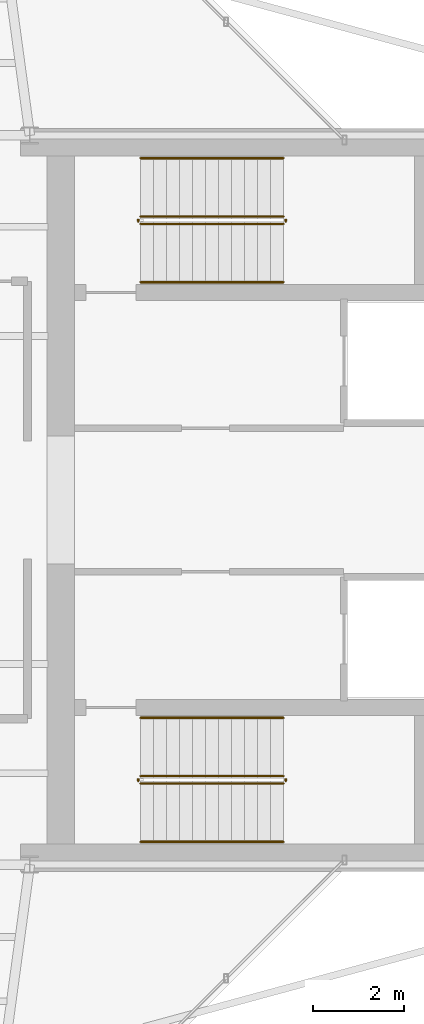
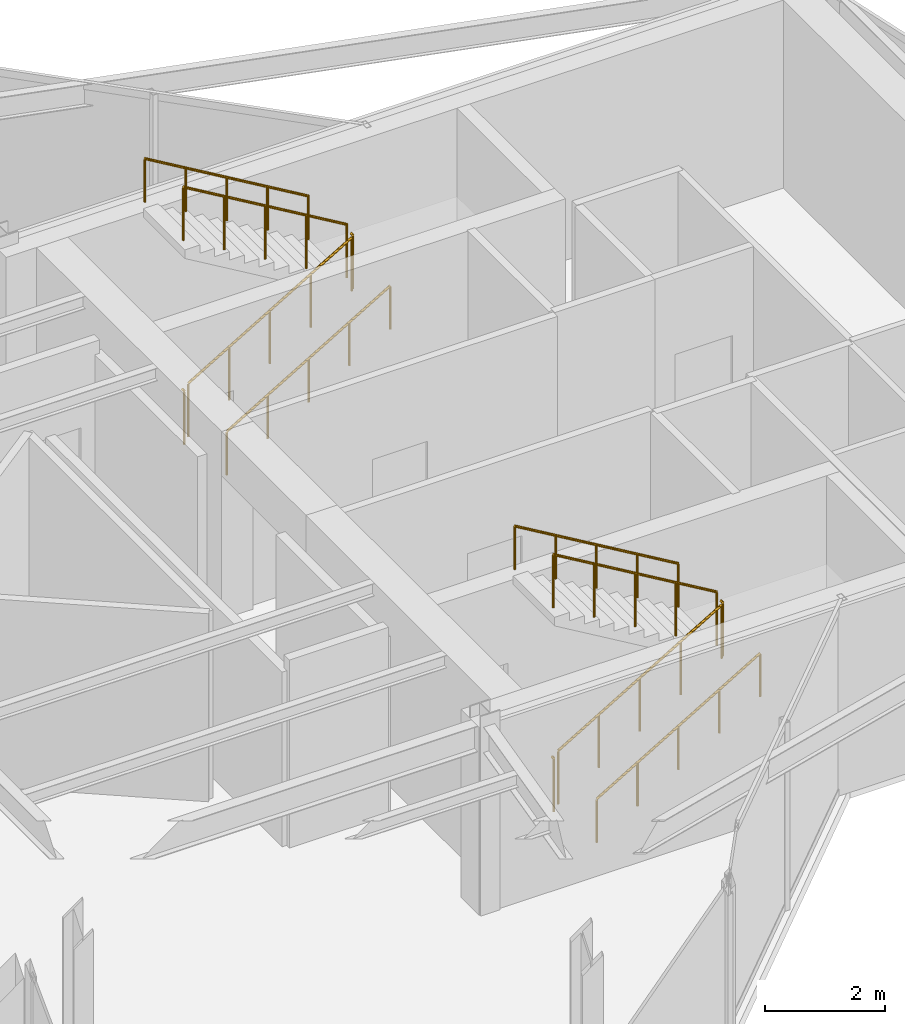
# One storey, part 13 of 13: 12 railings.
"""IFC4 building model written with IfcOpenShell, lengths in metres."""

from ifc_helpers import new_model, si_unit, direction, frame, origin, origin_2d, place, context, subcontext, project, spatial, circle, extrude, material, type_object, element, save


model = new_model("IFC4")

# Units and contexts
model_context = context("Model", 3, precision=1e-05, world=origin(), true_north=direction((0.0, 1.0)))
body_context = subcontext(model_context, "Body", "Model", "MODEL_VIEW")
ifc_project = project(units=[si_unit("LENGTHUNIT", "METRE"), si_unit("AREAUNIT", "SQUARE_METRE"), si_unit("VOLUMEUNIT", "CUBIC_METRE"), si_unit("PLANEANGLEUNIT", "RADIAN"), si_unit("MASSUNIT", "GRAM", prefix="KILO")], contexts=[model_context])

# Site, building, storey
site_placement = place(None, origin())
site = spatial("IfcSite", under=ifc_project, at=site_placement, CompositionType="ELEMENT")
building_placement = place(site_placement, origin())
building = spatial("IfcBuilding", under=site, at=building_placement, Name="Veymaron Broadcast Tower", CompositionType="ELEMENT")
storey_placement = place(building_placement, frame((0.0, 0.0, 303.300048828125)))
storey = spatial("IfcBuildingStorey", under=building, at=storey_placement, Name="L71", CompositionType="ELEMENT", Elevation=303.300048828125)

# Railings
ifc_material_1 = material(Name="Brushed stainless steel AISI 304", Category="steel")
railing_type_1 = type_object("IfcRailingType", Name="RAIL-STAIR-HR", PredefinedType="HANDRAIL", material=ifc_material_1)
railing_1_placement = place(storey_placement, frame((41.429931640625, 28.780029296875, 0.168701171875)))
element("IfcRailing", 1, at=railing_1_placement, inside=storey, type_object=railing_type_1, Name="L71 ST1 stair handrail 1", PredefinedType="HANDRAIL", context=body_context, shape_type="SweptSolid", body=[
    extrude(circle(Radius=0.02392578125, at=origin_2d()), frame((0.0, 0.0, 0.8759765625), z_axis=(0.860481960309, 0.0, 0.509480908359), x_axis=(0.0, 1.0, 0.0)), (0.0, 0.0, 1.0), 3.643310546875),
    extrude(circle(Radius=0.02099609375, at=origin_2d()), origin(), (0.0, 0.0, 1.0), 0.851806640625),
    extrude(circle(Radius=0.02099609375, at=origin_2d()), frame((0.78369140625, 0.0, 0.464111328125)), (0.0, 0.0, 1.0), 0.851806640625),
    extrude(circle(Radius=0.02099609375, at=origin_2d()), frame((1.5673828125, 0.0, 0.92822265625)), (0.0, 0.0, 1.0), 0.851806640625),
    extrude(circle(Radius=0.02099609375, at=origin_2d()), frame((2.351318359375, 0.0, 1.39208984375)), (0.0, 0.0, 1.0), 0.851806640625),
    extrude(circle(Radius=0.02099609375, at=origin_2d()), frame((3.135009765625, 0.0, 1.856201171875)), (0.0, 0.0, 1.0), 0.851806640625),
])
railing_2_placement = place(storey_placement, frame((44.56494140625, 31.5, 2.193603515625)))
element("IfcRailing", 2, at=railing_2_placement, inside=storey, type_object=railing_type_1, Name="L71 ST1 stair handrail 2", PredefinedType="HANDRAIL", context=body_context, shape_type="SweptSolid", body=[
    extrude(circle(Radius=0.02392578125, at=origin_2d()), frame((0.0, 0.0, 0.8759765625), z_axis=(-0.860452582533, 0.0, 0.509530522356), x_axis=(0.0, -1.0, 0.0)), (0.0, 0.0, 1.0), 3.6435546875),
    extrude(circle(Radius=0.02099609375, at=origin_2d()), origin(), (0.0, 0.0, 1.0), 0.851806640625),
    extrude(circle(Radius=0.02099609375, at=origin_2d()), frame((-0.78369140625, 0.0, 0.464111328125)), (0.0, 0.0, 1.0), 0.851806640625),
    extrude(circle(Radius=0.02099609375, at=origin_2d()), frame((-1.5673828125, 0.0, 0.92822265625)), (0.0, 0.0, 1.0), 0.851806640625),
    extrude(circle(Radius=0.02099609375, at=origin_2d()), frame((-2.351318359375, 0.0, 1.392333984375)), (0.0, 0.0, 1.0), 0.851806640625),
    extrude(circle(Radius=0.02099609375, at=origin_2d()), frame((-3.135009765625, 0.0, 1.8564453125)), (0.0, 0.0, 1.0), 0.851806640625),
])
railing_3_placement = place(storey_placement, frame((41.429931640625, 16.5, 0.168701171875)))
element("IfcRailing", 3, at=railing_3_placement, inside=storey, type_object=railing_type_1, Name="L71 ST2 stair handrail 1", PredefinedType="HANDRAIL", context=body_context, shape_type="SweptSolid", body=[
    extrude(circle(Radius=0.02392578125, at=origin_2d()), frame((0.0, 0.0, 0.8759765625), z_axis=(0.860481960309, 0.0, 0.509480908359), x_axis=(0.0, 1.0, 0.0)), (0.0, 0.0, 1.0), 3.643310546875),
    extrude(circle(Radius=0.02099609375, at=origin_2d()), origin(), (0.0, 0.0, 1.0), 0.851806640625),
    extrude(circle(Radius=0.02099609375, at=origin_2d()), frame((0.78369140625, 0.0, 0.464111328125)), (0.0, 0.0, 1.0), 0.851806640625),
    extrude(circle(Radius=0.02099609375, at=origin_2d()), frame((1.5673828125, 0.0, 0.92822265625)), (0.0, 0.0, 1.0), 0.851806640625),
    extrude(circle(Radius=0.02099609375, at=origin_2d()), frame((2.351318359375, 0.0, 1.39208984375)), (0.0, 0.0, 1.0), 0.851806640625),
    extrude(circle(Radius=0.02099609375, at=origin_2d()), frame((3.135009765625, 0.0, 1.856201171875)), (0.0, 0.0, 1.0), 0.851806640625),
])
railing_4_placement = place(storey_placement, frame((44.56494140625, 19.219970703125, 2.193603515625)))
element("IfcRailing", 4, at=railing_4_placement, inside=storey, type_object=railing_type_1, Name="L71 ST2 stair handrail 2", PredefinedType="HANDRAIL", context=body_context, shape_type="SweptSolid", body=[
    extrude(circle(Radius=0.02392578125, at=origin_2d()), frame((0.0, 0.0, 0.8759765625), z_axis=(-0.860452582533, 0.0, 0.509530522356), x_axis=(0.0, -1.0, 0.0)), (0.0, 0.0, 1.0), 3.6435546875),
    extrude(circle(Radius=0.02099609375, at=origin_2d()), origin(), (0.0, 0.0, 1.0), 0.851806640625),
    extrude(circle(Radius=0.02099609375, at=origin_2d()), frame((-0.78369140625, 0.0, 0.464111328125)), (0.0, 0.0, 1.0), 0.851806640625),
    extrude(circle(Radius=0.02099609375, at=origin_2d()), frame((-1.5673828125, 0.0, 0.92822265625)), (0.0, 0.0, 1.0), 0.851806640625),
    extrude(circle(Radius=0.02099609375, at=origin_2d()), frame((-2.351318359375, 0.0, 1.392333984375)), (0.0, 0.0, 1.0), 0.851806640625),
    extrude(circle(Radius=0.02099609375, at=origin_2d()), frame((-3.135009765625, 0.0, 1.8564453125)), (0.0, 0.0, 1.0), 0.851806640625),
])
ifc_material_2 = material(Name="Painted galvanized steel balustrade", Category="steel")
railing_type_2 = type_object("IfcRailingType", Name="RAIL-WELL-GRD", PredefinedType="GUARDRAIL", material=ifc_material_2)
railing_5_placement = place(storey_placement, frame((41.429931640625, 30.06005859375, 0.168701171875)))
element("IfcRailing", 5, at=railing_5_placement, inside=storey, type_object=railing_type_2, Name="L71 ST1 stair guard 1", PredefinedType="GUARDRAIL", context=body_context, shape_type="SweptSolid", body=[
    extrude(circle(Radius=0.02392578125, at=origin_2d()), frame((0.0, 0.0, 1.076171875), z_axis=(0.860481960309, 0.0, 0.509480908359), x_axis=(0.0, 1.0, 0.0)), (0.0, 0.0, 1.0), 3.643310546875),
    extrude(circle(Radius=0.02099609375, at=origin_2d()), origin(), (0.0, 0.0, 1.0), 1.052001953125),
    extrude(circle(Radius=0.02099609375, at=origin_2d()), frame((0.78369140625, 0.0, 0.464111328125)), (0.0, 0.0, 1.0), 1.052001953125),
    extrude(circle(Radius=0.02099609375, at=origin_2d()), frame((1.5673828125, 0.0, 0.92822265625)), (0.0, 0.0, 1.0), 1.052001953125),
    extrude(circle(Radius=0.02099609375, at=origin_2d()), frame((2.351318359375, 0.0, 1.39208984375)), (0.0, 0.0, 1.0), 1.052001953125),
    extrude(circle(Radius=0.02099609375, at=origin_2d()), frame((3.135009765625, 0.0, 1.856201171875)), (0.0, 0.0, 1.0), 1.052001953125),
])
railing_6_placement = place(storey_placement, frame((44.614990234375, 30.110107421875, 2.02490234375)))
element("IfcRailing", 6, at=railing_6_placement, inside=storey, type_object=railing_type_2, Name="L71 ST1 stair guard 2", PredefinedType="GUARDRAIL", context=body_context, shape_type="SweptSolid", body=[
    extrude(circle(Radius=0.02392578125, at=origin_2d()), frame((0.0, 0.0, 1.076171875), z_axis=(0.0, 1.0, 0.0), x_axis=(-1.0, 0.0, 0.0)), (0.0, 0.0, 1.0), 0.059814453125),
    extrude(circle(Radius=0.02099609375, at=origin_2d()), origin(), (0.0, 0.0, 1.0), 1.052001953125),
])
railing_7_placement = place(storey_placement, frame((44.56494140625, 30.219970703125, 2.193603515625)))
element("IfcRailing", 7, at=railing_7_placement, inside=storey, type_object=railing_type_2, Name="L71 ST1 stair guard 3", PredefinedType="GUARDRAIL", context=body_context, shape_type="SweptSolid", body=[
    extrude(circle(Radius=0.02392578125, at=origin_2d()), frame((0.0, 0.0, 1.076171875), z_axis=(-0.860452582533, 0.0, 0.509530522356), x_axis=(0.0, -1.0, 0.0)), (0.0, 0.0, 1.0), 3.6435546875),
    extrude(circle(Radius=0.02099609375, at=origin_2d()), origin(), (0.0, 0.0, 1.0), 1.052001953125),
    extrude(circle(Radius=0.02099609375, at=origin_2d()), frame((-0.78369140625, 0.0, 0.464111328125)), (0.0, 0.0, 1.0), 1.052001953125),
    extrude(circle(Radius=0.02099609375, at=origin_2d()), frame((-1.5673828125, 0.0, 0.92822265625)), (0.0, 0.0, 1.0), 1.052001953125),
    extrude(circle(Radius=0.02099609375, at=origin_2d()), frame((-2.351318359375, 0.0, 1.392333984375)), (0.0, 0.0, 1.0), 1.052001953125),
    extrude(circle(Radius=0.02099609375, at=origin_2d()), frame((-3.135009765625, 0.0, 1.8564453125)), (0.0, 0.0, 1.0), 1.052001953125),
])
railing_8_placement = place(storey_placement, frame((41.3798828125, 30.110107421875, 0.0)))
element("IfcRailing", 8, at=railing_8_placement, inside=storey, type_object=railing_type_2, Name="L71 ST1 stair guard 4", PredefinedType="GUARDRAIL", context=body_context, shape_type="SweptSolid", body=[
    extrude(circle(Radius=0.02392578125, at=origin_2d()), frame((0.0, 0.0, 1.076171875), z_axis=(0.0, 1.0, 0.0), x_axis=(-1.0, 0.0, 0.0)), (0.0, 0.0, 1.0), 0.059814453125),
    extrude(circle(Radius=0.02099609375, at=origin_2d()), origin(), (0.0, 0.0, 1.0), 1.052001953125),
])
railing_9_placement = place(storey_placement, frame((41.429931640625, 17.780029296875, 0.168701171875)))
element("IfcRailing", 9, at=railing_9_placement, inside=storey, type_object=railing_type_2, Name="L71 ST2 stair guard 1", PredefinedType="GUARDRAIL", context=body_context, shape_type="SweptSolid", body=[
    extrude(circle(Radius=0.02392578125, at=origin_2d()), frame((0.0, 0.0, 1.076171875), z_axis=(0.860481960309, 0.0, 0.509480908359), x_axis=(0.0, 1.0, 0.0)), (0.0, 0.0, 1.0), 3.643310546875),
    extrude(circle(Radius=0.02099609375, at=origin_2d()), origin(), (0.0, 0.0, 1.0), 1.052001953125),
    extrude(circle(Radius=0.02099609375, at=origin_2d()), frame((0.78369140625, 0.0, 0.464111328125)), (0.0, 0.0, 1.0), 1.052001953125),
    extrude(circle(Radius=0.02099609375, at=origin_2d()), frame((1.5673828125, 0.0, 0.92822265625)), (0.0, 0.0, 1.0), 1.052001953125),
    extrude(circle(Radius=0.02099609375, at=origin_2d()), frame((2.351318359375, 0.0, 1.39208984375)), (0.0, 0.0, 1.0), 1.052001953125),
    extrude(circle(Radius=0.02099609375, at=origin_2d()), frame((3.135009765625, 0.0, 1.856201171875)), (0.0, 0.0, 1.0), 1.052001953125),
])
railing_10_placement = place(storey_placement, frame((44.614990234375, 17.830078125, 2.02490234375)))
element("IfcRailing", 10, at=railing_10_placement, inside=storey, type_object=railing_type_2, Name="L71 ST2 stair guard 2", PredefinedType="GUARDRAIL", context=body_context, shape_type="SweptSolid", body=[
    extrude(circle(Radius=0.02392578125, at=origin_2d()), frame((0.0, 0.0, 1.076171875), z_axis=(0.0, 1.0, 0.0), x_axis=(-1.0, 0.0, 0.0)), (0.0, 0.0, 1.0), 0.059814453125),
    extrude(circle(Radius=0.02099609375, at=origin_2d()), origin(), (0.0, 0.0, 1.0), 1.052001953125),
])
railing_11_placement = place(storey_placement, frame((44.56494140625, 17.93994140625, 2.193603515625)))
element("IfcRailing", 11, at=railing_11_placement, inside=storey, type_object=railing_type_2, Name="L71 ST2 stair guard 3", PredefinedType="GUARDRAIL", context=body_context, shape_type="SweptSolid", body=[
    extrude(circle(Radius=0.02392578125, at=origin_2d()), frame((0.0, 0.0, 1.076171875), z_axis=(-0.860452582533, 0.0, 0.509530522356), x_axis=(0.0, -1.0, 0.0)), (0.0, 0.0, 1.0), 3.6435546875),
    extrude(circle(Radius=0.02099609375, at=origin_2d()), origin(), (0.0, 0.0, 1.0), 1.052001953125),
    extrude(circle(Radius=0.02099609375, at=origin_2d()), frame((-0.78369140625, 0.0, 0.464111328125)), (0.0, 0.0, 1.0), 1.052001953125),
    extrude(circle(Radius=0.02099609375, at=origin_2d()), frame((-1.5673828125, 0.0, 0.92822265625)), (0.0, 0.0, 1.0), 1.052001953125),
    extrude(circle(Radius=0.02099609375, at=origin_2d()), frame((-2.351318359375, 0.0, 1.392333984375)), (0.0, 0.0, 1.0), 1.052001953125),
    extrude(circle(Radius=0.02099609375, at=origin_2d()), frame((-3.135009765625, 0.0, 1.8564453125)), (0.0, 0.0, 1.0), 1.052001953125),
])
railing_12_placement = place(storey_placement, frame((41.3798828125, 17.830078125, 0.0)))
element("IfcRailing", 12, at=railing_12_placement, inside=storey, type_object=railing_type_2, Name="L71 ST2 stair guard 4", PredefinedType="GUARDRAIL", context=body_context, shape_type="SweptSolid", body=[
    extrude(circle(Radius=0.02392578125, at=origin_2d()), frame((0.0, 0.0, 1.076171875), z_axis=(0.0, 1.0, 0.0), x_axis=(-1.0, 0.0, 0.0)), (0.0, 0.0, 1.0), 0.059814453125),
    extrude(circle(Radius=0.02099609375, at=origin_2d()), origin(), (0.0, 0.0, 1.0), 1.052001953125),
])

save(model, "model.ifc")
